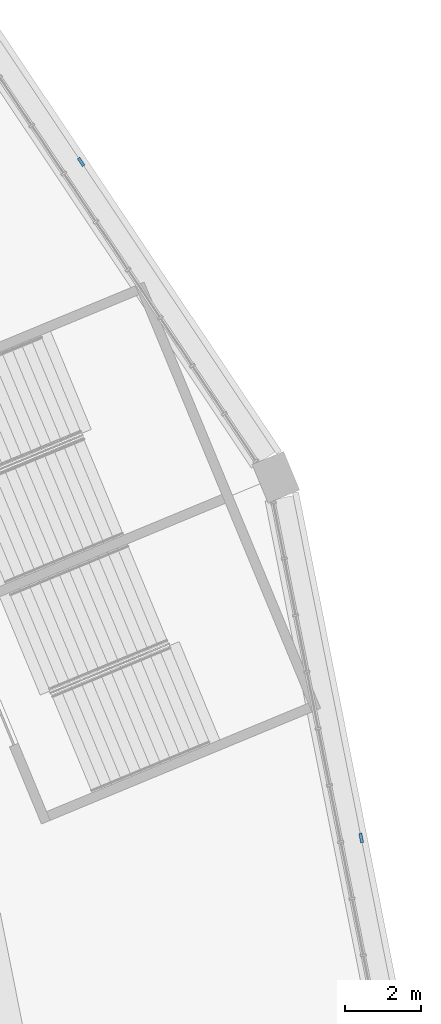
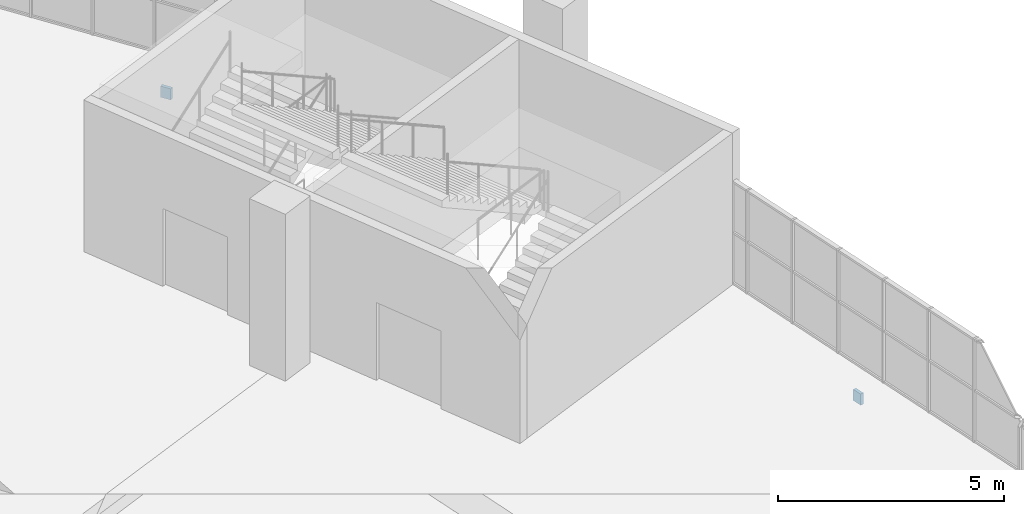
# One storey, part 101 of 199: 2 discrete accessories.
"""IFC4 building model written with IfcOpenShell, lengths in metres."""

from ifc_helpers import new_model, si_unit, direction, frame, origin, origin_2d, place, context, subcontext, project, spatial, rectangle, extrude, material, layer, layer_set, type_object, element, save


model = new_model("IFC4")

# Units and contexts
model_context = context("Model", 3, precision=1e-05, world=origin(), true_north=direction((0.0, 1.0)))
body_context = subcontext(model_context, "Body", "Model", "MODEL_VIEW")
ifc_project = project(units=[si_unit("LENGTHUNIT", "METRE"), si_unit("AREAUNIT", "SQUARE_METRE"), si_unit("VOLUMEUNIT", "CUBIC_METRE"), si_unit("PLANEANGLEUNIT", "RADIAN"), si_unit("MASSUNIT", "GRAM", prefix="KILO")], contexts=[model_context])

# Site, building, storey
site_placement = place(None, origin())
site = spatial("IfcSite", under=ifc_project, at=site_placement, CompositionType="ELEMENT")
building_placement = place(site_placement, origin())
building = spatial("IfcBuilding", under=site, at=building_placement, Name="Ogive Plaza Stadium", CompositionType="ELEMENT")
storey_placement = place(building_placement, frame((0.0, 0.0, 9.0)))
storey = spatial("IfcBuildingStorey", under=building, at=storey_placement, Name="L02", CompositionType="ELEMENT", Elevation=9.0)

# Discrete accessories
ifc_material = material(Name="Steel ASTM A572 Grade 50", Category="steel")
ifc_layer = layer(ifc_material, 0.080078125)
ifc_layer_set = layer_set([ifc_layer], Name="Steel ASTM A572 Grade 50")
discrete_accessory_type = type_object("IfcDiscreteAccessoryType", Name="Spandrel cladding bracket 250x300", PredefinedType="BRACKET", material=ifc_layer_set)
for number, where, z_axis, x_axis, name in (
    (1, (75.065673828125, 79.939208984375, -1.60986328125), (0.0, 0.0, 1.0), (0.555570233005, -0.831469612312, 0.0), "SPANDREL BRACKET B39 L02"),
    (2, (82.440185546875, 62.135498046875, -1.60986328125), (0.0, 0.0, 1.0), (0.195090321965, -0.980785280413, 0.0), "SPANDREL BRACKET B40 L02"),
):
    element("IfcDiscreteAccessory", number, at=place(storey_placement, frame(where, z_axis=z_axis, x_axis=x_axis)), inside=storey, type_object=discrete_accessory_type, Name=name, PredefinedType="BRACKET", context=body_context, shape_type="SweptSolid", body=[
        extrude(rectangle(XDim=0.25, YDim=0.080078125, at=origin_2d()), origin(), (0.0, 0.0, 1.0), 0.300048828125),
    ])

save(model, "model.ifc")
